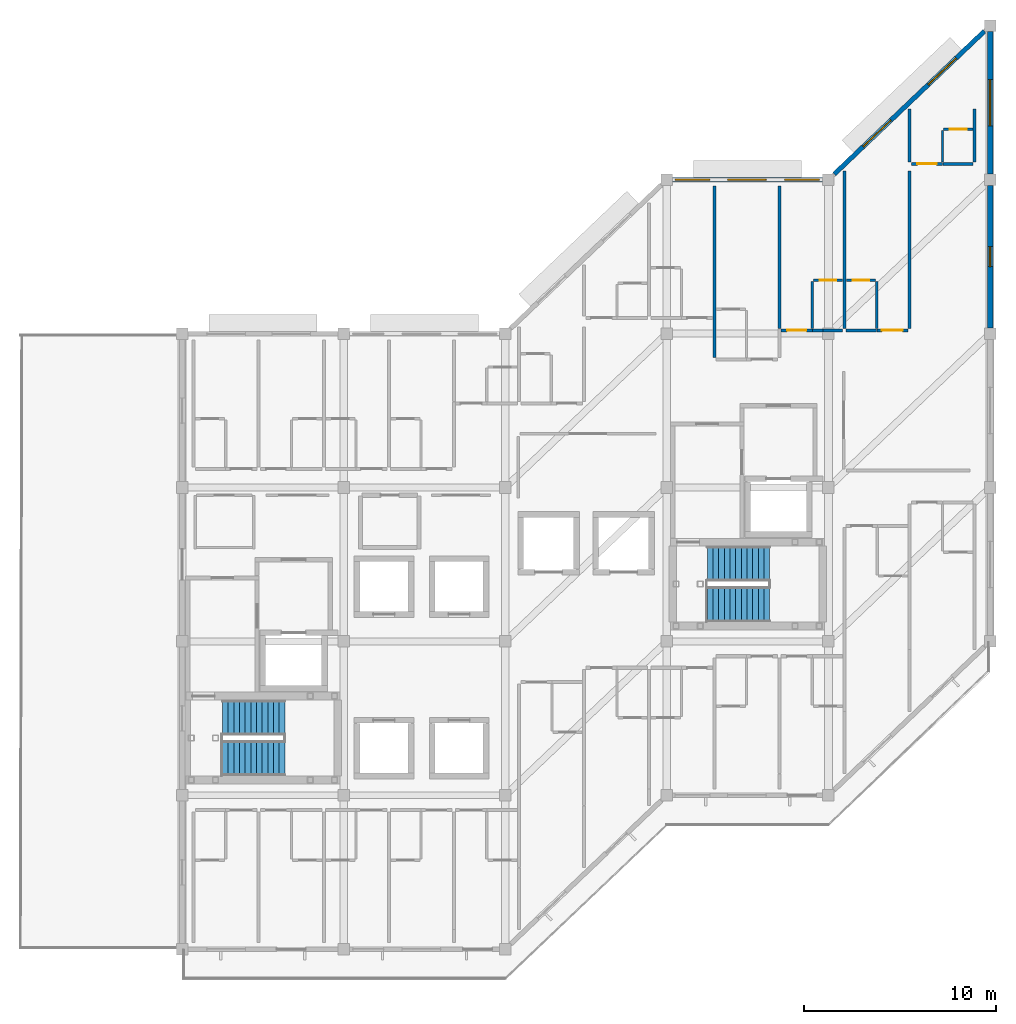
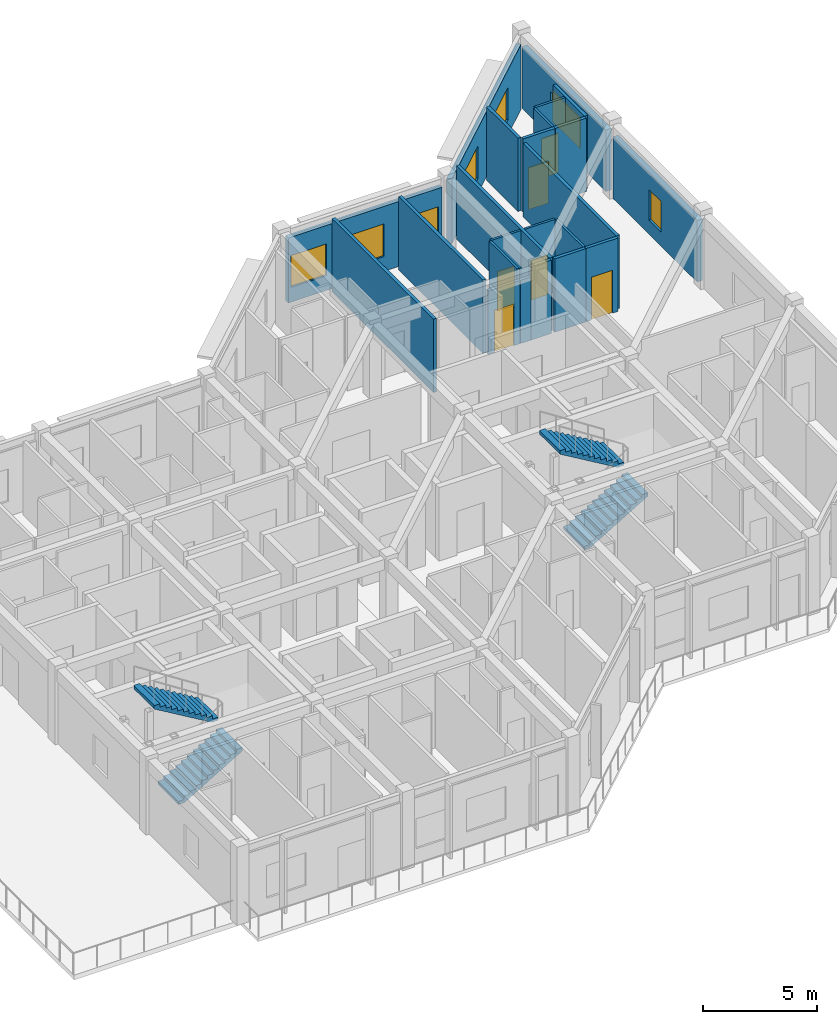
# One storey, part 10 of 13: 23 walls, 7 windows, 6 doors, 4 stair flights, 13 openings, 2 elements without a shape of their own.
"""IFC4 building model written with IfcOpenShell, lengths in metres."""

from ifc_helpers import new_model, si_unit, direction, frame, frame_2d, origin, place, context, subcontext, project, spatial, polyline, rectangle, outline, extrude, material, layer, layer_set, type_object, element, fill, aggregate, save


model = new_model("IFC4")

# Units and contexts
model_context = context("Model", 3, precision=1e-05, world=origin(), true_north=direction((0.0, 1.0)))
body_context = subcontext(model_context, "Body", "Model", "MODEL_VIEW")
ifc_project = project(units=[si_unit("LENGTHUNIT", "METRE"), si_unit("AREAUNIT", "SQUARE_METRE"), si_unit("VOLUMEUNIT", "CUBIC_METRE"), si_unit("PLANEANGLEUNIT", "RADIAN"), si_unit("MASSUNIT", "GRAM", prefix="KILO")], contexts=[model_context])

# Site, building, storey
site_placement = place(None, origin())
site = spatial("IfcSite", under=ifc_project, at=site_placement, CompositionType="ELEMENT")
building_placement = place(site_placement, origin())
building = spatial("IfcBuilding", under=site, at=building_placement, Name="Naruveol Harbour Congress Hotel", CompositionType="ELEMENT")
storey_placement = place(building_placement, frame((0.0, 0.0, 43.199951171875)))
storey = spatial("IfcBuildingStorey", under=building, at=storey_placement, Name="L10", CompositionType="ELEMENT", Elevation=43.199951171875)

# Wall, opening, window
ifc_material_1 = material(Name="Precast concrete C40/50", Category="concrete")
ifc_layer_1 = layer(ifc_material_1, 0.280029296875)
ifc_layer_set_1 = layer_set([ifc_layer_1], Name="Precast concrete C40/50")
wall_type_1 = type_object("IfcWallType", Name="ARCHITECTURAL PRECAST FACADE WALL 280", PredefinedType="SOLIDWALL", material=ifc_layer_set_1)
wall_1_placement = place(storey_placement, frame((168.0, 47.699951171875, 0.0), z_axis=(0.0, 0.0, 1.0), x_axis=(0.0, -1.0, 0.0)))
wall_1 = element("IfcWall", 1, at=wall_1_placement, inside=storey, type_object=wall_type_1, Name="Hotel east gable wall L10 EW-280", PredefinedType="SOLIDWALL", context=body_context, shape_type="SweptSolid", body=[
    extrude(rectangle(XDim=7.39990234375, YDim=0.280029296875, at=frame_2d((3.699951171875, 0.0))), origin(), (0.0, 0.0, 1.0), 3.300048828125),
])
opening_1_placement = place(wall_1_placement, frame((2.5, 0.0, 0.75)))
opening_1 = element("IfcOpeningElement", 2, at=opening_1_placement, cuts=wall_1, Name="Opening W-07", PredefinedType="OPENING", context=body_context, shape_type="SweptSolid", body=[
    extrude(rectangle(XDim=2.39990234375, YDim=1.64990234375, at=frame_2d((1.199951171875, 0.824951171875))), frame((0.0, 0.14990234375, 0.0), z_axis=(0.0, -1.0, 0.0), x_axis=(1.0, 0.0, 0.0)), (0.0, 0.0, 1.0), 0.300048828125),
])
ifc_material_2 = material(Name="Low-E Triple Glazing in Thermal Aluminium", Category="aluminium")
window_type_1 = type_object("IfcWindowType", Name="CORNER SUITE WINDOW 2400X1650", PartitioningType="DOUBLE_PANEL_VERTICAL", PredefinedType="WINDOW", material=ifc_material_2)
window_1_placement = place(opening_1_placement, origin())
window_1 = element("IfcWindow", 3, at=window_1_placement, inside=storey, type_object=window_type_1, Name="Window W-07 #498", OverallHeight=1.64990234375, OverallWidth=2.39990234375, PartitioningType="DOUBLE_PANEL_VERTICAL", PredefinedType="WINDOW", context=body_context, shape_type="SweptSolid", body=[
    extrude(rectangle(XDim=2.39990234375, YDim=1.64990234375, at=frame_2d((1.199951171875, 0.824951171875))), frame((0.0, 0.030029296875, 0.0), z_axis=(0.0, -1.0, 0.0), x_axis=(1.0, 0.0, 0.0)), (0.0, 0.0, 1.0), 0.06005859375),
])
fill(opening_1, window_1)

wall_2_placement = place(storey_placement, frame((168.0, 39.699951171875, 0.0), z_axis=(0.0, 0.0, 1.0), x_axis=(0.0, -1.0, 0.0)))
wall_2 = element("IfcWall", 4, at=wall_2_placement, inside=storey, type_object=wall_type_1, Name="Hotel east gable wall L10 EW-280", PredefinedType="SOLIDWALL", context=body_context, shape_type="SweptSolid", body=[
    extrude(rectangle(XDim=7.39990234375, YDim=0.280029296875, at=frame_2d((3.699951171875, 0.0))), origin(), (0.0, 0.0, 1.0), 3.300048828125),
])
opening_2_placement = place(wall_2_placement, frame((3.175048828125, 0.0, 0.75)))
opening_2 = element("IfcOpeningElement", 5, at=opening_2_placement, cuts=wall_2, Name="Opening W-26", PredefinedType="OPENING", context=body_context, shape_type="SweptSolid", body=[
    extrude(rectangle(XDim=1.050048828125, YDim=1.64990234375, at=frame_2d((0.52490234375, 0.824951171875))), frame((0.0, 0.14990234375, 0.0), z_axis=(0.0, -1.0, 0.0), x_axis=(1.0, 0.0, 0.0)), (0.0, 0.0, 1.0), 0.300048828125),
])
ifc_material_3 = material(Name="Low-E Triple Glazing in Thermal Aluminium", Category="aluminium")
window_type_2 = type_object("IfcWindowType", Name="CORRIDOR END VIEW WINDOW 1050X1650", PartitioningType="SINGLE_PANEL", PredefinedType="WINDOW", material=ifc_material_3)
window_2_placement = place(opening_2_placement, origin())
window_2 = element("IfcWindow", 6, at=window_2_placement, inside=storey, type_object=window_type_2, Name="Window W-26 #499", OverallHeight=1.64990234375, OverallWidth=1.050048828125, PartitioningType="SINGLE_PANEL", PredefinedType="WINDOW", context=body_context, shape_type="SweptSolid", body=[
    extrude(rectangle(XDim=1.050048828125, YDim=1.64990234375, at=frame_2d((0.52490234375, 0.824951171875))), frame((0.0, 0.030029296875, 0.0), z_axis=(0.0, -1.0, 0.0), x_axis=(1.0, 0.0, 0.0)), (0.0, 0.0, 1.0), 0.06005859375),
])
fill(opening_2, window_2)

# Wall
ifc_material_4 = material(Name="Moisture-Resistant Gypsum Partition", Category="gypsum")
ifc_layer_2 = layer(ifc_material_4, 0.114990234375)
ifc_layer_set_2 = layer_set([ifc_layer_2], Name="Moisture-Resistant Gypsum Partition")
wall_type_2 = type_object("IfcWallType", Name="BATHROOM MOISTURE PARTITION WALL 115", PredefinedType="PARTITIONING", material=ifc_layer_set_2)
wall_3_placement = place(storey_placement, frame((158.760009765625, 32.260009765625, 0.0), z_axis=(0.0, 0.0, 1.0), x_axis=(0.0, 1.0, 0.0)))
element("IfcWall", 7, at=wall_3_placement, inside=storey, type_object=wall_type_2, Name="Bathroom west wall 1102 PW-115", PredefinedType="PARTITIONING", context=body_context, shape_type="SweptSolid", body=[
    extrude(rectangle(XDim=2.449951171875, YDim=0.114990234375, at=frame_2d((1.22509765625, 0.0))), origin(), (0.0, 0.0, 1.0), 3.93505859375),
])

# Wall, opening, door
wall_4_placement = place(storey_placement, frame((158.820068359375, 34.77001953125, 0.0), z_axis=(0.0, 0.0, 1.0), x_axis=(1.0, 0.0, 0.0)))
wall_4 = element("IfcWall", 8, at=wall_4_placement, inside=storey, type_object=wall_type_2, Name="Bathroom north wall 1102 PW-115", PredefinedType="PARTITIONING", context=body_context, shape_type="SweptSolid", body=[
    extrude(rectangle(XDim=1.510009765625, YDim=0.114990234375, at=frame_2d((0.7548828125, 0.0))), origin(), (0.0, 0.0, 1.0), 3.93505859375),
])
opening_3_placement = place(wall_4_placement, frame((0.324951171875, 0.0, 0.0)))
opening_3 = element("IfcOpeningElement", 9, at=opening_3_placement, cuts=wall_4, Name="Opening BD-RM1102", PredefinedType="OPENING", context=body_context, shape_type="SweptSolid", body=[
    extrude(rectangle(XDim=0.860107421875, YDim=2.1201171875, at=frame_2d((0.43017578125, 1.06005859375))), frame((0.0, 0.0673828125, 0.0), z_axis=(0.0, -1.0, 0.0), x_axis=(1.0, 0.0, 0.0)), (0.0, 0.0, 1.0), 0.135009765625),
])
ifc_material_5 = material(Name="Timber & Steel Acoustic Leaf", Category="steel")
door_type_1 = type_object("IfcDoorType", Name="GUEST BATHROOM DOOR 860X2120", OperationType="NOTDEFINED", PredefinedType="DOOR", material=ifc_material_5)
door_1_placement = place(opening_3_placement, origin())
door_1 = element("IfcDoor", 10, at=door_1_placement, inside=storey, type_object=door_type_1, Name="Bathroom Door 1102", OperationType="SINGLE_SWING_RIGHT", OverallHeight=2.1201171875, OverallWidth=0.860107421875, PredefinedType="DOOR", context=body_context, shape_type="SweptSolid", body=[
    extrude(rectangle(XDim=0.860107421875, YDim=2.1201171875, at=frame_2d((0.43017578125, 1.06005859375))), frame((0.0, 0.02490234375, 0.0), z_axis=(0.0, -1.0, 0.0), x_axis=(1.0, 0.0, 0.0)), (0.0, 0.0, 1.0), 0.050048828125),
])
fill(opening_3, door_1)

# Wall
wall_5_placement = place(storey_placement, frame((162.110107421875, 32.260009765625, 0.0), z_axis=(0.0, 0.0, 1.0), x_axis=(0.0, 1.0, 0.0)))
element("IfcWall", 11, at=wall_5_placement, inside=storey, type_object=wall_type_2, Name="Bathroom east wall 1103 PW-115", PredefinedType="PARTITIONING", context=body_context, shape_type="SweptSolid", body=[
    extrude(rectangle(XDim=2.449951171875, YDim=0.114990234375, at=frame_2d((1.22509765625, 0.0))), origin(), (0.0, 0.0, 1.0), 3.93505859375),
])

# Wall, opening, door
wall_6_placement = place(storey_placement, frame((160.530029296875, 34.77001953125, 0.0), z_axis=(0.0, 0.0, 1.0), x_axis=(1.0, 0.0, 0.0)))
wall_6 = element("IfcWall", 12, at=wall_6_placement, inside=storey, type_object=wall_type_2, Name="Bathroom north wall 1103 PW-115", PredefinedType="PARTITIONING", context=body_context, shape_type="SweptSolid", body=[
    extrude(rectangle(XDim=1.52001953125, YDim=0.114990234375, at=frame_2d((0.760009765625, 0.0))), origin(), (0.0, 0.0, 1.0), 3.93505859375),
])
opening_4_placement = place(wall_6_placement, frame((0.330078125, 0.0, 0.0)))
opening_4 = element("IfcOpeningElement", 13, at=opening_4_placement, cuts=wall_6, Name="Opening BD-RM1103", PredefinedType="OPENING", context=body_context, shape_type="SweptSolid", body=[
    extrude(rectangle(XDim=0.860107421875, YDim=2.1201171875, at=frame_2d((0.43017578125, 1.06005859375))), frame((0.0, 0.0673828125, 0.0), z_axis=(0.0, -1.0, 0.0), x_axis=(1.0, 0.0, 0.0)), (0.0, 0.0, 1.0), 0.135009765625),
])
door_2_placement = place(opening_4_placement, origin())
door_2 = element("IfcDoor", 14, at=door_2_placement, inside=storey, type_object=door_type_1, Name="Bathroom Door 1103", OperationType="SINGLE_SWING_RIGHT", OverallHeight=2.1201171875, OverallWidth=0.860107421875, PredefinedType="DOOR", context=body_context, shape_type="SweptSolid", body=[
    extrude(rectangle(XDim=0.860107421875, YDim=2.1201171875, at=frame_2d((0.43017578125, 1.06005859375))), frame((0.0, 0.02490234375, 0.0), z_axis=(0.0, -1.0, 0.0), x_axis=(1.0, 0.0, 0.0)), (0.0, 0.0, 1.0), 0.050048828125),
])
fill(opening_4, door_2)

# Wall
wall_7_placement = place(storey_placement, frame((165.530029296875, 40.909912109375, 0.0), z_axis=(0.0, 0.0, 1.0), x_axis=(0.0, 1.0, 0.0)))
element("IfcWall", 15, at=wall_7_placement, inside=storey, type_object=wall_type_2, Name="Bathroom west wall 1104 PW-115", PredefinedType="PARTITIONING", context=body_context, shape_type="SweptSolid", body=[
    extrude(rectangle(XDim=1.650146484375, YDim=0.114990234375, at=frame_2d((0.8251953125, 0.0))), origin(), (0.0, 0.0, 1.0), 3.93505859375),
])

# Wall, opening, door
wall_8_placement = place(storey_placement, frame((165.590087890625, 42.6201171875, 0.0), z_axis=(0.0, 0.0, 1.0), x_axis=(1.0, 0.0, 0.0)))
wall_8 = element("IfcWall", 16, at=wall_8_placement, inside=storey, type_object=wall_type_2, Name="Bathroom north wall 1104 PW-115", PredefinedType="PARTITIONING", context=body_context, shape_type="SweptSolid", body=[
    extrude(rectangle(XDim=1.510009765625, YDim=0.114990234375, at=frame_2d((0.7548828125, 0.0))), origin(), (0.0, 0.0, 1.0), 3.93505859375),
])
opening_5_placement = place(wall_8_placement, frame((0.324951171875, 0.0, 0.0)))
opening_5 = element("IfcOpeningElement", 17, at=opening_5_placement, cuts=wall_8, Name="Opening BD-RM1104", PredefinedType="OPENING", context=body_context, shape_type="SweptSolid", body=[
    extrude(rectangle(XDim=0.860107421875, YDim=2.1201171875, at=frame_2d((0.43017578125, 1.06005859375))), frame((0.0, 0.0673828125, 0.0), z_axis=(0.0, -1.0, 0.0), x_axis=(1.0, 0.0, 0.0)), (0.0, 0.0, 1.0), 0.135009765625),
])
door_3_placement = place(opening_5_placement, origin())
door_3 = element("IfcDoor", 18, at=door_3_placement, inside=storey, type_object=door_type_1, Name="Bathroom Door 1104", OperationType="SINGLE_SWING_RIGHT", OverallHeight=2.1201171875, OverallWidth=0.860107421875, PredefinedType="DOOR", context=body_context, shape_type="SweptSolid", body=[
    extrude(rectangle(XDim=0.860107421875, YDim=2.1201171875, at=frame_2d((0.43017578125, 1.06005859375))), frame((0.0, 0.02490234375, 0.0), z_axis=(0.0, -1.0, 0.0), x_axis=(1.0, 0.0, 0.0)), (0.0, 0.0, 1.0), 0.050048828125),
])
fill(opening_5, door_3)

# Wall
ifc_material_6 = material(Name="Autoclaved Aerated Concrete Block", Category="concrete")
ifc_layer_3 = layer(ifc_material_6, 0.159912109375)
ifc_layer_set_3 = layer_set([ifc_layer_3], Name="Autoclaved Aerated Concrete Block")
wall_type_3 = type_object("IfcWallType", Name="HOTEL PARTY AND CORRIDOR WALL 160 EI60", PredefinedType="PARTITIONING", material=ifc_layer_set_3)
wall_9_placement = place(storey_placement, frame((153.669921875, 30.75, 0.0), z_axis=(0.0, 0.0, 1.0), x_axis=(0.0, 1.0, 0.0)))
element("IfcWall", 19, at=wall_9_placement, inside=storey, type_object=wall_type_3, Name="Hotel party wall 1101 PW-160", PredefinedType="PARTITIONING", context=body_context, shape_type="SweptSolid", body=[
    extrude(rectangle(XDim=8.909912109375, YDim=0.159912109375, at=frame_2d((4.455078125, 0.0))), origin(), (0.0, 0.0, 1.0), 3.93505859375),
])

# Wall, opening, door
wall_10_placement = place(storey_placement, frame((157.139892578125, 32.169921875, 0.0), z_axis=(0.0, 0.0, 1.0), x_axis=(1.0, 0.0, 0.0)))
wall_10 = element("IfcWall", 20, at=wall_10_placement, inside=storey, type_object=wall_type_3, Name="Corridor entry wall 1102 PW-160", PredefinedType="PARTITIONING", context=body_context, shape_type="SweptSolid", body=[
    extrude(rectangle(XDim=1.6201171875, YDim=0.159912109375, at=frame_2d((0.81005859375, 0.0))), origin(), (0.0, 0.0, 1.0), 3.39013671875),
])
opening_6_placement = place(wall_10_placement, frame((0.31005859375, 0.0, 0.0)))
opening_6 = element("IfcOpeningElement", 21, at=opening_6_placement, cuts=wall_10, Name="Opening FD-RM1102", PredefinedType="OPENING", context=body_context, shape_type="SweptSolid", body=[
    extrude(rectangle(XDim=1.0, YDim=2.25, at=frame_2d((0.5, 1.125))), frame((0.0, 0.08984375, 0.0), z_axis=(0.0, -1.0, 0.0), x_axis=(1.0, 0.0, 0.0)), (0.0, 0.0, 1.0), 0.179931640625),
])
ifc_material_7 = material(Name="Timber & Steel Acoustic Leaf", Category="steel")
door_type_2 = type_object("IfcDoorType", Name="DELUXE GUEST ENTRANCE FIRE DOOR 1000X2250", OperationType="NOTDEFINED", PredefinedType="DOOR", material=ifc_material_7)
door_4_placement = place(opening_6_placement, origin())
door_4 = element("IfcDoor", 22, at=door_4_placement, inside=storey, type_object=door_type_2, Name="Hotel Room Door 1102", OperationType="SINGLE_SWING_LEFT", OverallHeight=2.25, OverallWidth=1.0, PredefinedType="DOOR", context=body_context, shape_type="SweptSolid", body=[
    extrude(rectangle(XDim=1.0, YDim=2.25, at=frame_2d((0.5, 1.125))), frame((0.0, 0.02490234375, 0.0), z_axis=(0.0, -1.0, 0.0), x_axis=(1.0, 0.0, 0.0)), (0.0, 0.0, 1.0), 0.050048828125),
])
fill(opening_6, door_4)

# Walls
wall_11_placement = place(storey_placement, frame((158.77001953125, 32.169921875, 0.0), z_axis=(0.0, 0.0, 1.0), x_axis=(1.0, 0.0, 0.0)))
element("IfcWall", 23, at=wall_11_placement, inside=storey, type_object=wall_type_3, Name="Corridor wall 1102B PW-160", PredefinedType="PARTITIONING", context=body_context, shape_type="SweptSolid", body=[
    extrude(rectangle(XDim=0.533935546875, YDim=0.159912109375, at=frame_2d((0.26708984375, 0.0))), origin(), (0.0, 0.0, 1.0), 3.39013671875),
])
wall_12_placement = place(storey_placement, frame((157.050048828125, 32.260009765625, 0.0), z_axis=(0.0, 0.0, 1.0), x_axis=(0.0, 1.0, 0.0)))
element("IfcWall", 24, at=wall_12_placement, inside=storey, type_object=wall_type_3, Name="Hotel party wall 1102 PW-160", PredefinedType="PARTITIONING", context=body_context, shape_type="SweptSolid", body=[
    extrude(rectangle(XDim=7.39990234375, YDim=0.159912109375, at=frame_2d((3.699951171875, 0.0))), origin(), (0.0, 0.0, 1.0), 3.93505859375),
])
wall_13_placement = place(storey_placement, frame((160.52001953125, 32.169921875, 0.0), z_axis=(0.0, 0.0, 1.0), x_axis=(1.0, 0.0, 0.0)))
element("IfcWall", 25, at=wall_13_placement, inside=storey, type_object=wall_type_3, Name="Corridor wall 1103B PW-160", PredefinedType="PARTITIONING", context=body_context, shape_type="SweptSolid", body=[
    extrude(rectangle(XDim=1.580078125, YDim=0.159912109375, at=frame_2d((0.7900390625, 0.0))), origin(), (0.0, 0.0, 1.0), 3.93505859375),
])

# Wall, opening, door
wall_14_placement = place(storey_placement, frame((162.110107421875, 32.169921875, 0.0), z_axis=(0.0, 0.0, 1.0), x_axis=(1.0, 0.0, 0.0)))
wall_14 = element("IfcWall", 26, at=wall_14_placement, inside=storey, type_object=wall_type_3, Name="Corridor entry wall 1103 PW-160", PredefinedType="PARTITIONING", context=body_context, shape_type="SweptSolid", body=[
    extrude(rectangle(XDim=1.619873046875, YDim=0.159912109375, at=frame_2d((0.81005859375, 0.0))), origin(), (0.0, 0.0, 1.0), 3.93505859375),
])
opening_7_placement = place(wall_14_placement, frame((0.27001953125, 0.0, 0.0)))
opening_7 = element("IfcOpeningElement", 27, at=opening_7_placement, cuts=wall_14, Name="Opening FD-RM1103", PredefinedType="OPENING", context=body_context, shape_type="SweptSolid", body=[
    extrude(rectangle(XDim=1.080078125, YDim=2.300048828125, at=frame_2d((0.5400390625, 1.14990234375))), frame((0.0, 0.08984375, 0.0), z_axis=(0.0, -1.0, 0.0), x_axis=(1.0, 0.0, 0.0)), (0.0, 0.0, 1.0), 0.179931640625),
])
ifc_material_8 = material(Name="Timber & Steel Acoustic Leaf", Category="steel")
door_type_3 = type_object("IfcDoorType", Name="SUITE ENTRANCE FIRE DOOR 1080X2300", OperationType="NOTDEFINED", PredefinedType="DOOR", material=ifc_material_8)
door_5_placement = place(opening_7_placement, origin())
door_5 = element("IfcDoor", 28, at=door_5_placement, inside=storey, type_object=door_type_3, Name="Hotel Room Door 1103", OperationType="SINGLE_SWING_LEFT", OverallHeight=2.300048828125, OverallWidth=1.080078125, PredefinedType="DOOR", context=body_context, shape_type="SweptSolid", body=[
    extrude(rectangle(XDim=1.080078125, YDim=2.300048828125, at=frame_2d((0.5400390625, 1.14990234375))), frame((0.0, 0.02490234375, 0.0), z_axis=(0.0, -1.0, 0.0), x_axis=(1.0, 0.0, 0.0)), (0.0, 0.0, 1.0), 0.050048828125),
])
fill(opening_7, door_5)

# Walls
for number, where, z_axis, x_axis, name in (
    (29, (160.429931640625, 32.260009765625, 0.0), (0.0, 0.0, 1.0), (0.0, 1.0, 0.0), "Hotel party wall 1103 PW-160"),
    (30, (163.820068359375, 32.260009765625, 0.0), (0.0, 0.0, 1.0), (0.0, 1.0, 0.0), "Hotel end party wall 1103 PW-160"),
):
    element("IfcWall", number, at=place(storey_placement, frame(where, z_axis=z_axis, x_axis=x_axis)), inside=storey, type_object=wall_type_3, Name=name, PredefinedType="PARTITIONING", context=body_context, shape_type="SweptSolid", body=[
        extrude(rectangle(XDim=8.18994140625, YDim=0.159912109375, at=frame_2d((4.094970703125, 0.0))), origin(), (0.0, 0.0, 1.0), 3.93505859375),
    ])

# Wall, opening, door
wall_15_placement = place(storey_placement, frame((163.909912109375, 40.820068359375, 0.0), z_axis=(0.0, 0.0, 1.0), x_axis=(1.0, 0.0, 0.0)))
wall_15 = element("IfcWall", 31, at=wall_15_placement, inside=storey, type_object=wall_type_3, Name="Corridor entry wall 1104 PW-160", PredefinedType="PARTITIONING", context=body_context, shape_type="SweptSolid", body=[
    extrude(rectangle(XDim=1.6201171875, YDim=0.159912109375, at=frame_2d((0.81005859375, 0.0))), origin(), (0.0, 0.0, 1.0), 3.93505859375),
])
opening_8_placement = place(wall_15_placement, frame((0.31005859375, 0.0, 0.0)))
opening_8 = element("IfcOpeningElement", 32, at=opening_8_placement, cuts=wall_15, Name="Opening FD-RM1104", PredefinedType="OPENING", context=body_context, shape_type="SweptSolid", body=[
    extrude(rectangle(XDim=1.0, YDim=2.25, at=frame_2d((0.5, 1.125))), frame((0.0, 0.08984375, 0.0), z_axis=(0.0, -1.0, 0.0), x_axis=(1.0, 0.0, 0.0)), (0.0, 0.0, 1.0), 0.179931640625),
])
door_6_placement = place(opening_8_placement, origin())
door_6 = element("IfcDoor", 33, at=door_6_placement, inside=storey, type_object=door_type_2, Name="Hotel Room Door 1104", OperationType="SINGLE_SWING_LEFT", OverallHeight=2.25, OverallWidth=1.0, PredefinedType="DOOR", context=body_context, shape_type="SweptSolid", body=[
    extrude(rectangle(XDim=1.0, YDim=2.25, at=frame_2d((0.5, 1.125))), frame((0.0, 0.02490234375, 0.0), z_axis=(0.0, -1.0, 0.0), x_axis=(1.0, 0.0, 0.0)), (0.0, 0.0, 1.0), 0.050048828125),
])
fill(opening_8, door_6)

# Walls
wall_16_placement = place(storey_placement, frame((165.5400390625, 40.820068359375, 0.0), z_axis=(0.0, 0.0, 1.0), x_axis=(1.0, 0.0, 0.0)))
element("IfcWall", 34, at=wall_16_placement, inside=storey, type_object=wall_type_3, Name="Corridor wall 1104B PW-160", PredefinedType="PARTITIONING", context=body_context, shape_type="SweptSolid", body=[
    extrude(rectangle(XDim=1.570068359375, YDim=0.159912109375, at=frame_2d((0.78515625, 0.0))), origin(), (0.0, 0.0, 1.0), 3.93505859375),
])
for number, where, z_axis, x_axis, name in (
    (35, (163.820068359375, 40.909912109375, 0.0), (0.0, 0.0, 1.0), (0.0, 1.0, 0.0), "Hotel party wall 1104 PW-160"),
    (36, (167.199951171875, 40.909912109375, 0.0), (0.0, 0.0, 1.0), (0.0, 1.0, 0.0), "Hotel end party wall 1104 PW-160"),
):
    element("IfcWall", number, at=place(storey_placement, frame(where, z_axis=z_axis, x_axis=x_axis)), inside=storey, type_object=wall_type_3, Name=name, PredefinedType="PARTITIONING", context=body_context, shape_type="SweptSolid", body=[
        extrude(rectangle(XDim=2.77001953125, YDim=0.159912109375, at=frame_2d((1.385009765625, 0.0))), origin(), (0.0, 0.0, 1.0), 3.93505859375),
    ])
wall_17_placement = place(storey_placement, frame((159.303955078125, 32.169921875, 0.0), z_axis=(0.0, 0.0, 1.0), x_axis=(1.0, 0.0, 0.0)))
element("IfcWall", 37, at=wall_17_placement, inside=storey, type_object=wall_type_3, Name="Corridor wall 1102B PW-160", PredefinedType="PARTITIONING", context=body_context, shape_type="SweptSolid", body=[
    extrude(rectangle(XDim=1.0361328125, YDim=0.159912109375, at=frame_2d((0.51806640625, 0.0))), origin(), (0.0, 0.0, 1.0), 3.93505859375),
])

# Wall, openings, windows
ifc_material_9 = material(Name="Concrete C40/50", Category="concrete")
ifc_layer_4 = layer(ifc_material_9, 0.239990234375)
ifc_layer_set_4 = layer_set([ifc_layer_4], Name="Concrete C40/50")
wall_type_4 = type_object("IfcWallType", Name="INSULATED HOTEL SPANDREL WALL 240", PredefinedType="SOLIDWALL", material=ifc_layer_set_4)
wall_18_placement = place(storey_placement, frame((151.5, 40.0, 0.0), z_axis=(0.0, 0.0, 1.0), x_axis=(1.0, 0.0, 0.0)))
wall_18 = element("IfcWall", 38, at=wall_18_placement, inside=storey, type_object=wall_type_4, Name="Hotel north bay wall L10 EW-240", PredefinedType="SOLIDWALL", context=body_context, shape_type="SweptSolid", body=[
    extrude(rectangle(XDim=7.800048828125, YDim=0.239990234375, at=frame_2d((3.89990234375, 0.0))), origin(), (0.0, 0.0, 1.0), 3.489990234375),
])
opening_9_placement = place(wall_18_placement, frame((0.135009765625, 0.0, 0.800048828125)))
opening_9 = element("IfcOpeningElement", 39, at=opening_9_placement, cuts=wall_18, Name="Opening W-04", PredefinedType="OPENING", context=body_context, shape_type="SweptSolid", body=[
    extrude(rectangle(XDim=1.800048828125, YDim=1.699951171875, at=frame_2d((0.89990234375, 0.85009765625))), frame((0.0, 0.1298828125, 0.0), z_axis=(0.0, -1.0, 0.0), x_axis=(1.0, 0.0, 0.0)), (0.0, 0.0, 1.0), 0.260009765625),
])
opening_10_placement = place(wall_18_placement, frame((2.860107421875, 0.0, 0.800048828125)))
opening_10 = element("IfcOpeningElement", 40, at=opening_10_placement, cuts=wall_18, Name="Opening W-05", PredefinedType="OPENING", context=body_context, shape_type="SweptSolid", body=[
    extrude(rectangle(XDim=2.0, YDim=1.75, at=frame_2d((1.0, 0.875))), frame((0.0, 0.1298828125, 0.0), z_axis=(0.0, -1.0, 0.0), x_axis=(1.0, 0.0, 0.0)), (0.0, 0.0, 1.0), 0.260009765625),
])
opening_11_placement = place(wall_18_placement, frame((5.824951171875, 0.0, 0.800048828125)))
opening_11 = element("IfcOpeningElement", 41, at=opening_11_placement, cuts=wall_18, Name="Opening W-04", PredefinedType="OPENING", context=body_context, shape_type="SweptSolid", body=[
    extrude(rectangle(XDim=1.800048828125, YDim=1.699951171875, at=frame_2d((0.89990234375, 0.85009765625))), frame((0.0, 0.1298828125, 0.0), z_axis=(0.0, -1.0, 0.0), x_axis=(1.0, 0.0, 0.0)), (0.0, 0.0, 1.0), 0.260009765625),
])
ifc_material_10 = material(Name="Low-E Triple Glazing in Thermal Aluminium", Category="aluminium")
window_type_3 = type_object("IfcWindowType", Name="DELUXE PANORAMA WINDOW 1800X1700", PartitioningType="DOUBLE_PANEL_VERTICAL", PredefinedType="WINDOW", material=ifc_material_10)
window_3_placement = place(opening_9_placement, origin())
window_3 = element("IfcWindow", 42, at=window_3_placement, inside=storey, type_object=window_type_3, Name="Window W-04 #492", OverallHeight=1.699951171875, OverallWidth=1.800048828125, PartitioningType="DOUBLE_PANEL_VERTICAL", PredefinedType="WINDOW", context=body_context, shape_type="SweptSolid", body=[
    extrude(rectangle(XDim=1.800048828125, YDim=1.699951171875, at=frame_2d((0.89990234375, 0.85009765625))), frame((0.0, 0.030029296875, 0.0), z_axis=(0.0, -1.0, 0.0), x_axis=(1.0, 0.0, 0.0)), (0.0, 0.0, 1.0), 0.06005859375),
])
fill(opening_9, window_3)
window_4_placement = place(opening_11_placement, origin())
window_4 = element("IfcWindow", 43, at=window_4_placement, inside=storey, type_object=window_type_3, Name="Window W-04 #494", OverallHeight=1.699951171875, OverallWidth=1.800048828125, PartitioningType="DOUBLE_PANEL_VERTICAL", PredefinedType="WINDOW", context=body_context, shape_type="SweptSolid", body=[
    extrude(rectangle(XDim=1.800048828125, YDim=1.699951171875, at=frame_2d((0.89990234375, 0.85009765625))), frame((0.0, 0.030029296875, 0.0), z_axis=(0.0, -1.0, 0.0), x_axis=(1.0, 0.0, 0.0)), (0.0, 0.0, 1.0), 0.06005859375),
])
fill(opening_11, window_4)
ifc_material_11 = material(Name="Low-E Triple Glazing in Thermal Aluminium", Category="aluminium")
window_type_4 = type_object("IfcWindowType", Name="GARDEN SUITE WINDOW 2000X1750", PartitioningType="DOUBLE_PANEL_VERTICAL", PredefinedType="WINDOW", material=ifc_material_11)
window_5_placement = place(opening_10_placement, origin())
window_5 = element("IfcWindow", 44, at=window_5_placement, inside=storey, type_object=window_type_4, Name="Window W-05 #493", OverallHeight=1.75, OverallWidth=2.0, PartitioningType="DOUBLE_PANEL_VERTICAL", PredefinedType="WINDOW", context=body_context, shape_type="SweptSolid", body=[
    extrude(rectangle(XDim=2.0, YDim=1.75, at=frame_2d((1.0, 0.875))), frame((0.0, 0.030029296875, 0.0), z_axis=(0.0, -1.0, 0.0), x_axis=(1.0, 0.0, 0.0)), (0.0, 0.0, 1.0), 0.06005859375),
])
fill(opening_10, window_5)

wall_19_placement = place(storey_placement, frame((159.89990234375, 40.285888671875, 0.0), z_axis=(0.0, 0.0, 1.0), x_axis=(0.724156257633, 0.689635928973, 0.0)))
wall_19 = element("IfcWall", 45, at=wall_19_placement, inside=storey, type_object=wall_type_4, Name="Hotel north bay wall L10 EW-240", PredefinedType="SOLIDWALL", context=body_context, shape_type="SweptSolid", body=[
    extrude(rectangle(XDim=10.771240234375, YDim=0.239990234375, at=frame_2d((5.3857421875, 0.0))), origin(), (0.0, 0.0, 1.0), 3.489990234375),
])
opening_12_placement = place(wall_19_placement, frame((2.072998046875, 0.0, 0.800048828125)))
opening_12 = element("IfcOpeningElement", 46, at=opening_12_placement, cuts=wall_19, Name="Opening W-05", PredefinedType="OPENING", context=body_context, shape_type="SweptSolid", body=[
    extrude(rectangle(XDim=2.0, YDim=1.75, at=frame_2d((1.0, 0.875))), frame((0.0, 0.1298828125, 0.0), z_axis=(0.0, -1.0, 0.0), x_axis=(1.0, 0.0, 0.0)), (0.0, 0.0, 1.0), 0.260009765625),
])
opening_13_placement = place(wall_19_placement, frame((6.7470703125, 0.0, 0.800048828125)))
opening_13 = element("IfcOpeningElement", 47, at=opening_13_placement, cuts=wall_19, Name="Opening W-05", PredefinedType="OPENING", context=body_context, shape_type="SweptSolid", body=[
    extrude(rectangle(XDim=2.0, YDim=1.75, at=frame_2d((1.0, 0.875))), frame((0.0, 0.1298828125, 0.0), z_axis=(0.0, -1.0, 0.0), x_axis=(1.0, 0.0, 0.0)), (0.0, 0.0, 1.0), 0.260009765625),
])
window_6_placement = place(opening_12_placement, origin())
window_6 = element("IfcWindow", 48, at=window_6_placement, inside=storey, type_object=window_type_4, Name="Window W-05 #496", OverallHeight=1.75, OverallWidth=2.0, PartitioningType="DOUBLE_PANEL_VERTICAL", PredefinedType="WINDOW", context=body_context, shape_type="SweptSolid", body=[
    extrude(rectangle(XDim=2.0, YDim=1.75, at=frame_2d((1.0, 0.875))), frame((0.0, 0.030029296875, 0.0), z_axis=(0.0, -1.0, 0.0), x_axis=(1.0, 0.0, 0.0)), (0.0, 0.0, 1.0), 0.06005859375),
])
fill(opening_12, window_6)
window_7_placement = place(opening_13_placement, origin())
window_7 = element("IfcWindow", 49, at=window_7_placement, inside=storey, type_object=window_type_4, Name="Window W-05 #497", OverallHeight=1.75, OverallWidth=2.0, PartitioningType="DOUBLE_PANEL_VERTICAL", PredefinedType="WINDOW", context=body_context, shape_type="SweptSolid", body=[
    extrude(rectangle(XDim=2.0, YDim=1.75, at=frame_2d((1.0, 0.875))), frame((0.0, 0.030029296875, 0.0), z_axis=(0.0, -1.0, 0.0), x_axis=(1.0, 0.0, 0.0)), (0.0, 0.0, 1.0), 0.06005859375),
])
fill(opening_13, window_7)

# Stair, stair flights
ifc_material_12 = material(Name="Concrete C40/50", Category="concrete")
stair_type = type_object("IfcStairType", Name="RC DOG LEG ESCAPE STAIR 1800W H4200", PredefinedType="HALF_TURN_STAIR", material=ifc_material_12)
stair_1_placement = place(storey_placement, origin())
stair_1 = element("IfcStair", 50, at=stair_1_placement, inside=storey, type_object=stair_type, Name="Special Escape Stair ST1 L10 to L11", PredefinedType="HALF_TURN_STAIR")
ifc_material_13 = material(Name="Concrete C40/50", Category="concrete")
stair_flight_type = type_object("IfcStairFlightType", Name="RC STRAIGHT STAIR FLIGHT 1800W R12", PredefinedType="STRAIGHT", material=ifc_material_13)
stair_flight_1_placement = place(storey_placement, frame((128.10009765625, 9.919921875, 0.0), z_axis=(0.0, 0.0, 1.0), x_axis=(1.0, 0.0, 0.0)))
stair_flight_1 = element("IfcStairFlight", 51, at=stair_flight_1_placement, type_object=stair_flight_type, Name="ST1 L10 lower flight", NumberOfRisers=12, NumberOfTreads=11, PredefinedType="STRAIGHT", RiserHeight=0.175, TreadLength=0.295, context=body_context, shape_type="SweptSolid", body=[
    extrude(outline(polyline([(0.0, 0.0), (0.0, 0.175048828125), (0.294921875, 0.175048828125), (0.294921875, 0.35009765625), (0.590087890625, 0.35009765625), (0.590087890625, 0.52490234375), (0.885009765625, 0.52490234375), (0.885009765625, 0.699951171875), (1.179931640625, 0.699951171875), (1.179931640625, 0.875), (1.47509765625, 0.875), (1.47509765625, 1.050048828125), (1.77001953125, 1.050048828125), (1.77001953125, 1.22509765625), (2.06494140625, 1.22509765625), (2.06494140625, 1.39990234375), (2.360107421875, 1.39990234375), (2.360107421875, 1.574951171875), (2.655029296875, 1.574951171875), (2.655029296875, 1.75), (2.949951171875, 1.75), (2.949951171875, 1.925048828125), (3.2451171875, 1.925048828125), (3.2451171875, 2.10009765625), (3.2451171875, 1.739013671875), (0.3134765625, 0.0), (0.0, 0.0)])), frame((0.0, 0.89990234375, 0.0), z_axis=(0.0, -1.0, 0.0), x_axis=(1.0, 0.0, 0.0)), (0.0, 0.0, 1.0), 1.800048828125),
])
stair_flight_2_placement = place(storey_placement, frame((131.344970703125, 12.0400390625, 2.10009765625), z_axis=(0.0, 0.0, 1.0), x_axis=(-1.0, 0.0, 0.0)))
stair_flight_2 = element("IfcStairFlight", 52, at=stair_flight_2_placement, type_object=stair_flight_type, Name="ST1 L10 upper flight", NumberOfRisers=12, NumberOfTreads=11, PredefinedType="STRAIGHT", RiserHeight=0.175, TreadLength=0.295, context=body_context, shape_type="SweptSolid", body=[
    extrude(outline(polyline([(0.0, 0.0), (0.0, 0.175048828125), (0.294921875, 0.175048828125), (0.294921875, 0.35009765625), (0.590087890625, 0.35009765625), (0.590087890625, 0.52490234375), (0.885009765625, 0.52490234375), (0.885009765625, 0.699951171875), (1.179931640625, 0.699951171875), (1.179931640625, 0.875), (1.47509765625, 0.875), (1.47509765625, 1.050048828125), (1.77001953125, 1.050048828125), (1.77001953125, 1.22509765625), (2.06494140625, 1.22509765625), (2.06494140625, 1.39990234375), (2.360107421875, 1.39990234375), (2.360107421875, 1.574951171875), (2.655029296875, 1.574951171875), (2.655029296875, 1.75), (2.949951171875, 1.75), (2.949951171875, 1.925048828125), (3.2451171875, 1.925048828125), (3.2451171875, 2.10009765625), (3.2451171875, 1.739013671875), (0.3134765625, 0.0), (0.0, 0.0)])), frame((0.0, 0.89990234375, 0.0), z_axis=(0.0, -1.0, 0.0), x_axis=(1.0, 0.0, 0.0)), (0.0, 0.0, 1.0), 1.800048828125),
])
aggregate(stair_1, [stair_flight_1, stair_flight_2])

stair_2_placement = place(storey_placement, origin())
stair_2 = element("IfcStair", 53, at=stair_2_placement, inside=storey, type_object=stair_type, Name="Special Escape Stair ST2 L10 to L11", PredefinedType="HALF_TURN_STAIR")
stair_flight_3_placement = place(storey_placement, frame((153.300048828125, 17.919921875, 0.0), z_axis=(0.0, 0.0, 1.0), x_axis=(1.0, 0.0, 0.0)))
stair_flight_3 = element("IfcStairFlight", 54, at=stair_flight_3_placement, type_object=stair_flight_type, Name="ST2 L10 lower flight", NumberOfRisers=12, NumberOfTreads=11, PredefinedType="STRAIGHT", RiserHeight=0.175, TreadLength=0.295, context=body_context, shape_type="SweptSolid", body=[
    extrude(outline(polyline([(0.0, 0.0), (0.0, 0.175048828125), (0.294921875, 0.175048828125), (0.294921875, 0.35009765625), (0.590087890625, 0.35009765625), (0.590087890625, 0.52490234375), (0.885009765625, 0.52490234375), (0.885009765625, 0.699951171875), (1.179931640625, 0.699951171875), (1.179931640625, 0.875), (1.47509765625, 0.875), (1.47509765625, 1.050048828125), (1.77001953125, 1.050048828125), (1.77001953125, 1.22509765625), (2.06494140625, 1.22509765625), (2.06494140625, 1.39990234375), (2.360107421875, 1.39990234375), (2.360107421875, 1.574951171875), (2.655029296875, 1.574951171875), (2.655029296875, 1.75), (2.949951171875, 1.75), (2.949951171875, 1.925048828125), (3.2451171875, 1.925048828125), (3.2451171875, 2.10009765625), (3.2451171875, 1.739013671875), (0.3134765625, 0.0), (0.0, 0.0)])), frame((0.0, 0.89990234375, 0.0), z_axis=(0.0, -1.0, 0.0), x_axis=(1.0, 0.0, 0.0)), (0.0, 0.0, 1.0), 1.800048828125),
])
stair_flight_4_placement = place(storey_placement, frame((156.544921875, 20.0400390625, 2.10009765625), z_axis=(0.0, 0.0, 1.0), x_axis=(-1.0, 0.0, 0.0)))
stair_flight_4 = element("IfcStairFlight", 55, at=stair_flight_4_placement, type_object=stair_flight_type, Name="ST2 L10 upper flight", NumberOfRisers=12, NumberOfTreads=11, PredefinedType="STRAIGHT", RiserHeight=0.175, TreadLength=0.295, context=body_context, shape_type="SweptSolid", body=[
    extrude(outline(polyline([(0.0, 0.0), (0.0, 0.175048828125), (0.294921875, 0.175048828125), (0.294921875, 0.35009765625), (0.590087890625, 0.35009765625), (0.590087890625, 0.52490234375), (0.885009765625, 0.52490234375), (0.885009765625, 0.699951171875), (1.179931640625, 0.699951171875), (1.179931640625, 0.875), (1.47509765625, 0.875), (1.47509765625, 1.050048828125), (1.77001953125, 1.050048828125), (1.77001953125, 1.22509765625), (2.06494140625, 1.22509765625), (2.06494140625, 1.39990234375), (2.360107421875, 1.39990234375), (2.360107421875, 1.574951171875), (2.655029296875, 1.574951171875), (2.655029296875, 1.75), (2.949951171875, 1.75), (2.949951171875, 1.925048828125), (3.2451171875, 1.925048828125), (3.2451171875, 2.10009765625), (3.2451171875, 1.739013671875), (0.3134765625, 0.0), (0.0, 0.0)])), frame((0.0, 0.89990234375, 0.0), z_axis=(0.0, -1.0, 0.0), x_axis=(1.0, 0.0, 0.0)), (0.0, 0.0, 1.0), 1.800048828125),
])
aggregate(stair_2, [stair_flight_3, stair_flight_4])

save(model, "model.ifc")
